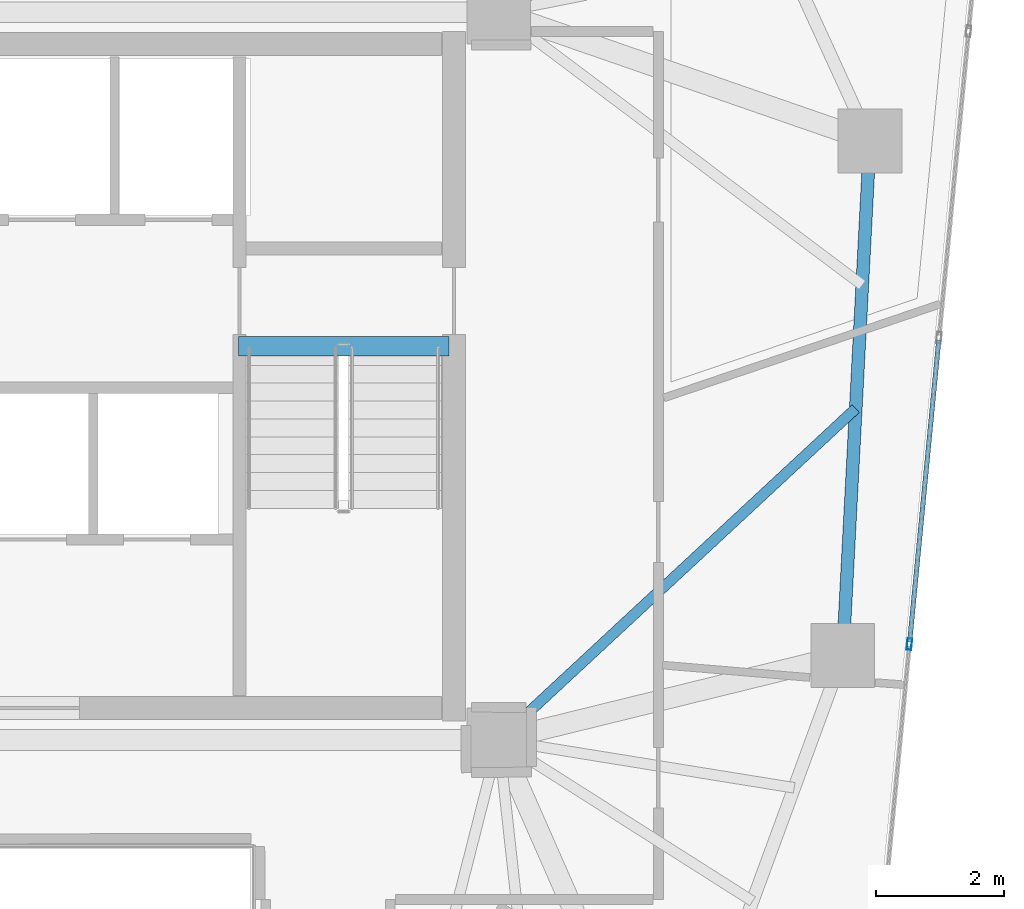
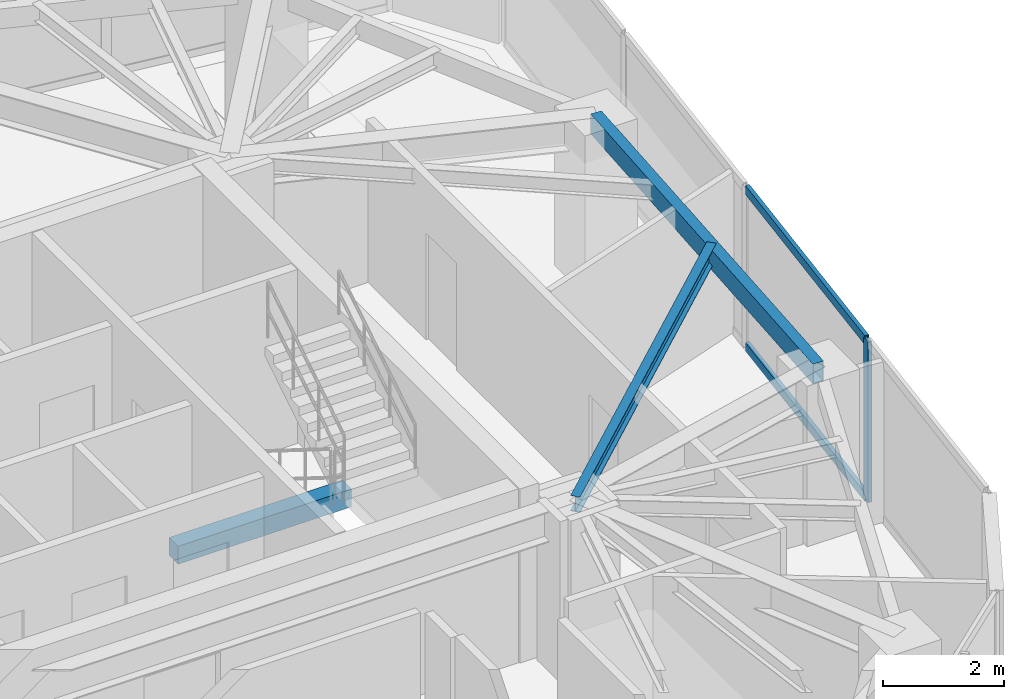
# One storey, part 10 of 20: 3 beams, 3 members, 1 element without a shape of its own.
"""IFC4 building model written with IfcOpenShell, lengths in metres."""

from ifc_helpers import new_model, si_unit, direction, frame, origin, origin_2d, place, context, subcontext, project, spatial, rectangle, hollow_rectangle, i_section, extrude, source, transform, mapped, material, layer, layer_set, material_profile, profile_set, type_object, type_shapes, element, aggregate, save


model = new_model("IFC4")

# Units and contexts
model_context = context("Model", 3, precision=1e-05, world=origin(), true_north=direction((0.0, 1.0)))
body_context = subcontext(model_context, "Body", "Model", "MODEL_VIEW")
ifc_project = project(units=[si_unit("LENGTHUNIT", "METRE"), si_unit("AREAUNIT", "SQUARE_METRE"), si_unit("VOLUMEUNIT", "CUBIC_METRE"), si_unit("PLANEANGLEUNIT", "RADIAN"), si_unit("MASSUNIT", "GRAM", prefix="KILO")], contexts=[model_context])

# Site, building, storey
site_placement = place(None, origin())
site = spatial("IfcSite", under=ifc_project, at=site_placement, CompositionType="ELEMENT")
building_placement = place(site_placement, origin())
building = spatial("IfcBuilding", under=site, at=building_placement, Name="Talar Marvaseh", CompositionType="ELEMENT")
storey_placement = place(building_placement, frame((0.0, 0.0, 211.699951171875)))
storey = spatial("IfcBuildingStorey", under=building, at=storey_placement, Name="L55", CompositionType="ELEMENT", Elevation=211.699951171875)

# Beams
ifc_material_1 = material(Name="Concrete C40/50", Category="concrete")
ifc_material_profile_1 = material_profile(ifc_material_1, rectangle(XDim=0.300048828125, YDim=0.360107421875, at=origin_2d()), Name="RC300x360")
ifc_profile_set_1 = profile_set([ifc_material_profile_1], Name="Concrete C40/50")
beam_type_1 = type_object("IfcBeamType", Name="Concrete Stair Landing Trimmer Beam RC300x360", PredefinedType="SPANDREL", material=ifc_profile_set_1)
beam_1_placement = place(storey_placement, frame((29.219970703125, 31.669921875, -0.179931640625), z_axis=(1.0, 0.0, 0.0), x_axis=(0.0, 1.0, 0.0)))
element("IfcBeam", 1, at=beam_1_placement, inside=storey, type_object=beam_type_1, Name="L55 ST-2 Stair Nosing Trimmer Beam", PredefinedType="SPANDREL", context=body_context, shape_type="SweptSolid", body=[
    extrude(rectangle(XDim=0.300048828125, YDim=0.360107421875, at=origin_2d()), origin(), (0.0, 0.0, 1.0), 3.300048828125),
])
ifc_material_2 = material(Name="Steel S355", Category="steel")
ifc_material_profile_2 = material_profile(ifc_material_2, hollow_rectangle(XDim=0.199951171875, YDim=0.39990234375, WallThickness=0.013916015625, at=origin_2d()), Name="RHS400x200x14")
ifc_profile_set_2 = profile_set([ifc_material_profile_2], Name="Steel S355")
beam_type_2 = type_object("IfcBeamType", Name="Zone 3 Perimeter Spandrel Beam RHS400x200x14", PredefinedType="SPANDREL", material=ifc_profile_set_2)
beam_2_placement = place(storey_placement, frame((39.113037109375, 34.884033203125, 3.030029296875), z_axis=(-0.052541369293, -0.998618748328, 0.0), x_axis=(0.998618748328, -0.052541369293, 0.0)))
element("IfcBeam", 2, at=beam_2_placement, inside=storey, type_object=beam_type_2, Name="L55 Zone 3 Perimeter Spandrel Beam RHS400x200x14", PredefinedType="SPANDREL", context=body_context, shape_type="SweptSolid", body=[
    extrude(hollow_rectangle(XDim=0.199951171875, YDim=0.39990234375, WallThickness=0.013916015625, at=origin_2d()), origin(), (0.0, 0.0, 1.0), 8.0712890625),
])
ifc_material_profile_3 = material_profile(ifc_material_2, i_section(OverallWidth=0.166015625, OverallDepth=0.31298828125, WebThickness=0.006591796875, FlangeThickness=0.01123046875, at=origin_2d()), Name="W310x45")
ifc_profile_set_3 = profile_set([ifc_material_profile_3], Name="Steel S355")
beam_type_3 = type_object("IfcBeamType", Name="Zone 3 Secondary Floor Joist W310x45", PredefinedType="JOIST", material=ifc_profile_set_3)
beam_3_placement = place(storey_placement, frame((38.892578125, 30.69287109375, 3.073486328125), z_axis=(-0.73280602476, -0.680437601897, 0.0), x_axis=(0.680437601897, -0.73280602476, 0.0)))
element("IfcBeam", 3, at=beam_3_placement, inside=storey, type_object=beam_type_3, Name="L55 Zone 3 Secondary Floor Joist W310x45", PredefinedType="JOIST", context=body_context, shape_type="SweptSolid", body=[
    extrude(i_section(OverallWidth=0.166015625, OverallDepth=0.31298828125, WebThickness=0.006591796875, FlangeThickness=0.01123046875, at=origin_2d()), origin(), (0.0, 0.0, 1.0), 7.631591796875),
])

# Curtain wall, members
ifc_material_3 = material(Name="Architectural Aluminium", Category="aluminium")
ifc_layer = layer(ifc_material_3, 0.18994140625)
ifc_layer_set = layer_set([ifc_layer], Name="Architectural Aluminium")
curtain_wall_type = type_object("IfcCurtainWallType", Name="Unitised Solar Atelier Curtain Wall Z3", PredefinedType="NOTDEFINED", material=ifc_layer_set)
curtain_wall_placement = place(storey_placement, origin())
curtain_wall = element("IfcCurtainWall", 4, at=curtain_wall_placement, inside=storey, type_object=curtain_wall_type, Name="L55 Unitised Solar Atelier Curtain Wall Z3", PredefinedType="NOTDEFINED")
ifc_material_profile_4 = material_profile(ifc_material_3, hollow_rectangle(XDim=0.074951171875, YDim=0.179931640625, WallThickness=0.0048828125, at=origin_2d()), Name="RHS180x75x5")
ifc_profile_set_4 = profile_set([ifc_material_profile_4], Name="Architectural Aluminium")
member_type_1 = type_object("IfcMemberType", Name="Unitised Curtain Wall Standard Mullion RHS180x75x5", PredefinedType="MULLION", material=ifc_profile_set_4)
shared_shape_1 = source(origin(), body_context, "Body", "SweptSolid", [
    extrude(hollow_rectangle(XDim=0.074951171875, YDim=0.179931640625, WallThickness=0.0048828125, at=origin_2d()), origin(), (0.0, 0.0, 1.0), 3.22998046875),
])
type_shapes(member_type_1, [shared_shape_1])
member_1_placement = place(storey_placement, frame((39.73291015625, 27.00390625, 0.0), z_axis=(0.0, 0.0, 1.0), x_axis=(0.995381660069, -0.095996618681, 0.0)))
member_1 = element("IfcMember", 5, at=member_1_placement, type_object=member_type_1, Name="CW-Z3 mullion 4", PredefinedType="MULLION", context=body_context, shape_type="MappedRepresentation", body=[
    mapped(shared_shape_1, transform((0.0, 0.0, 0.0), x_axis=(1.0, 0.0, 0.0), y_axis=(0.0, 1.0, 0.0), z_axis=(0.0, 0.0, 1.0), scale=1.0)),
])
ifc_material_profile_5 = material_profile(ifc_material_3, hollow_rectangle(XDim=0.074951171875, YDim=0.179931640625, WallThickness=0.0048828125, at=origin_2d()), Name="RHS180x75x5")
ifc_profile_set_5 = profile_set([ifc_material_profile_5], Name="Architectural Aluminium")
member_type_2 = type_object("IfcMemberType", Name="Unitised Curtain Wall Transom RHS180x75x5", PredefinedType="USERDEFINED", material=ifc_profile_set_5)
shared_shape_2 = source(origin(), body_context, "Body", "SweptSolid", [
    extrude(hollow_rectangle(XDim=0.074951171875, YDim=0.179931640625, WallThickness=0.0048828125, at=origin_2d()), origin(), (0.0, 0.0, 1.0), 4.7470703125),
])
type_shapes(member_type_2, [shared_shape_2])
member_2_placement = place(storey_placement, frame((40.1923828125, 31.766357421875, 0.03759765625), z_axis=(-0.096020116148, -0.995379393646, 0.0), x_axis=(0.995379393646, -0.096020116148, 0.0)))
member_2 = element("IfcMember", 6, at=member_2_placement, type_object=member_type_2, Name="CW-Z3 transom 3.1", ObjectType="TRANSOM", PredefinedType="USERDEFINED", context=body_context, shape_type="MappedRepresentation", body=[
    mapped(shared_shape_2, transform((0.0, 0.0, 0.0), x_axis=(1.0, 0.0, 0.0), y_axis=(0.0, 1.0, 0.0), z_axis=(0.0, 0.0, 1.0), scale=1.0)),
])
member_3_placement = place(storey_placement, frame((40.1923828125, 31.766357421875, 3.192626953125), z_axis=(-0.096020116148, -0.995379393646, 0.0), x_axis=(0.995379393646, -0.096020116148, 0.0)))
member_3 = element("IfcMember", 7, at=member_3_placement, type_object=member_type_2, Name="CW-Z3 transom 3.2", ObjectType="TRANSOM", PredefinedType="USERDEFINED", context=body_context, shape_type="MappedRepresentation", body=[
    mapped(shared_shape_2, transform((0.0, 0.0, 0.0), x_axis=(1.0, 0.0, 0.0), y_axis=(0.0, 1.0, 0.0), z_axis=(0.0, 0.0, 1.0), scale=1.0)),
])
aggregate(curtain_wall, [member_1, member_2, member_3])

save(model, "model.ifc")
